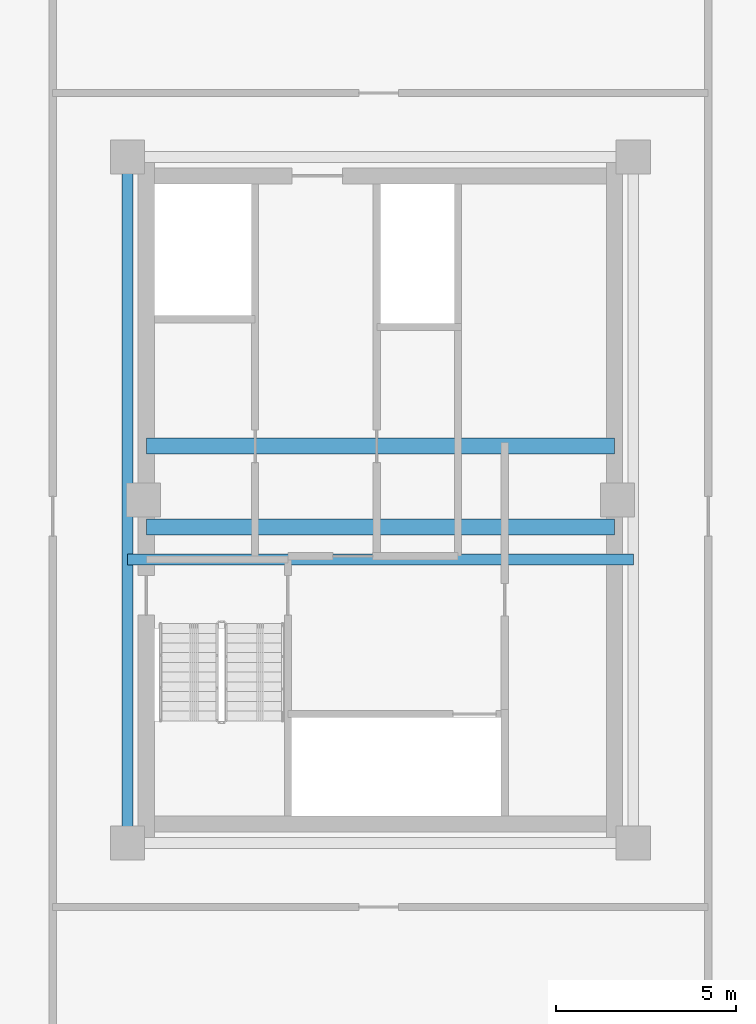
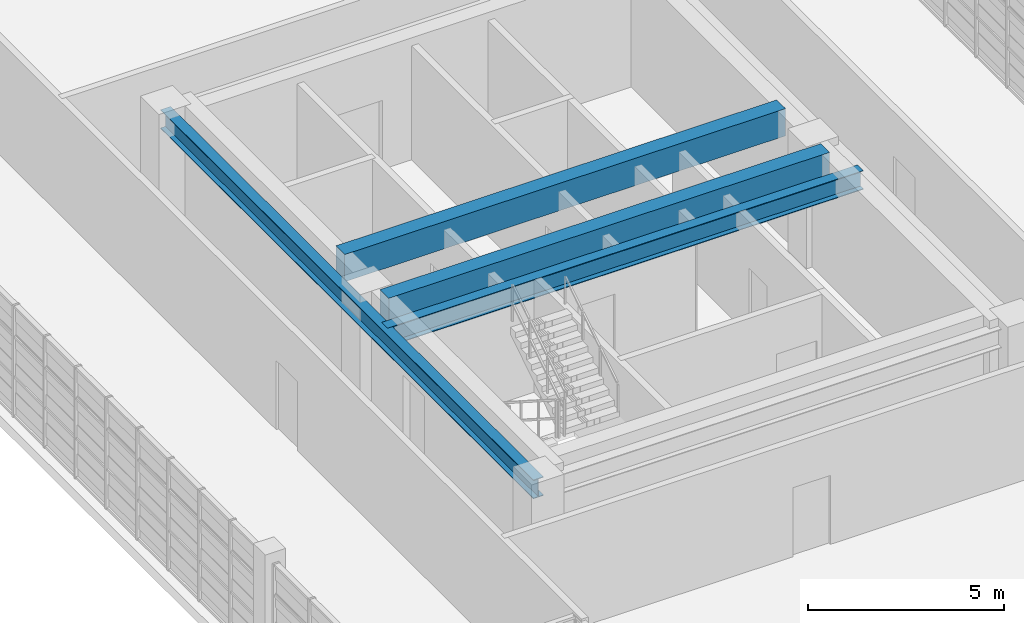
# One storey, part 9 of 24: 4 beams.
"""IFC4 building model written with IfcOpenShell, lengths in metres."""

from ifc_helpers import new_model, si_unit, direction, frame, origin, origin_2d, place, context, subcontext, project, spatial, rectangle, i_section, extrude, source, transform, mapped, material, material_profile, profile_set, type_object, element, save


model = new_model("IFC4")

# Units and contexts
model_context = context("Model", 3, precision=1e-05, world=origin(), true_north=direction((0.0, 1.0)))
body_context = subcontext(model_context, "Body", "Model", "MODEL_VIEW")
ifc_project = project(units=[si_unit("LENGTHUNIT", "METRE"), si_unit("AREAUNIT", "SQUARE_METRE"), si_unit("VOLUMEUNIT", "CUBIC_METRE"), si_unit("PLANEANGLEUNIT", "RADIAN"), si_unit("MASSUNIT", "GRAM", prefix="KILO")], contexts=[model_context])

# Site, building, storey
site_placement = place(None, origin())
site = spatial("IfcSite", under=ifc_project, at=site_placement, CompositionType="ELEMENT")
building_placement = place(site_placement, origin())
building = spatial("IfcBuilding", under=site, at=building_placement, Name="Saelheon Loggia Tower", CompositionType="ELEMENT")
storey_placement = place(building_placement, frame((0.0, 0.0, 252.199951171875)))
storey = spatial("IfcBuildingStorey", under=building, at=storey_placement, Name="CR1", CompositionType="ELEMENT", Elevation=252.199951171875)

# Beams
ifc_material_1 = material(Name="Concrete C50/60", Category="concrete")
ifc_material_profile_1 = material_profile(ifc_material_1, rectangle(XDim=0.449951171875, YDim=0.85009765625, at=origin_2d()), Name="RC-450x850")
ifc_profile_set_1 = profile_set([ifc_material_profile_1], Name="Concrete C50/60")
beam_type_1 = type_object("IfcBeamType", Name="Beam_CoreLintel_RC450x850", PredefinedType="LINTEL", material=ifc_profile_set_1)
shared_shape_1 = source(origin(), body_context, "Body", "SweptSolid", [
    extrude(rectangle(XDim=0.449951171875, YDim=0.85009765625, at=origin_2d()), origin(), (0.0, 0.0, 1.0), 13.0),
])
for number, where, z_axis, x_axis, name in (
    (1, (31.5, 26.25, 3.375), (1.0, 0.0, 0.0), (0.0, 1.0, 0.0), "CR1 Core Coupling Lintel 1"),
    (2, (31.5, 28.5, 3.375), (1.0, 0.0, 0.0), (0.0, 1.0, 0.0), "CR1 Core Coupling Lintel 2"),
):
    element("IfcBeam", number, at=place(storey_placement, frame(where, z_axis=z_axis, x_axis=x_axis)), inside=storey, type_object=beam_type_1, Name=name, PredefinedType="LINTEL", context=body_context, shape_type="MappedRepresentation", body=[
        mapped(shared_shape_1, transform((0.0, 0.0, 0.0), scale=1.0)),
    ])
ifc_material_2 = material(Name="Steel SM355", Category="steel")
ifc_material_profile_2 = material_profile(ifc_material_2, i_section(OverallWidth=0.300048828125, OverallDepth=0.587890625, WebThickness=0.011962890625, FlangeThickness=0.02001953125, at=origin_2d()), Name="H-588x300x12x20")
ifc_profile_set_2 = profile_set([ifc_material_profile_2], Name="Steel SM355")
beam_type_2 = type_object("IfcBeamType", Name="Beam_Girder_Steel_H588", PredefinedType="BEAM", material=ifc_profile_set_2)
shared_shape_2 = source(origin(), body_context, "Body", "SweptSolid", [
    extrude(i_section(OverallWidth=0.300048828125, OverallDepth=0.587890625, WebThickness=0.011962890625, FlangeThickness=0.02001953125, at=origin_2d()), origin(), (0.0, 0.0, 1.0), 14.0400390625),
])
beam_1_placement = place(storey_placement, frame((30.97998046875, 25.35009765625, 3.256103515625), z_axis=(1.0, 0.0, 0.0), x_axis=(0.0, 1.0, 0.0)))
element("IfcBeam", 3, at=beam_1_placement, inside=storey, type_object=beam_type_2, Name="BM-CR1-PL-ST5", PredefinedType="BEAM", context=body_context, shape_type="MappedRepresentation", body=[
    mapped(shared_shape_2, transform((0.0, 0.0, 0.0), scale=1.0)),
])
shared_shape_3 = source(origin(), body_context, "Body", "SweptSolid", [
    extrude(i_section(OverallWidth=0.300048828125, OverallDepth=0.587890625, WebThickness=0.011962890625, FlangeThickness=0.02001953125, at=origin_2d()), origin(), (0.0, 0.0, 1.0), 19.0400390625),
])
beam_2_placement = place(storey_placement, frame((30.97998046875, 17.47998046875, 3.256103515625), z_axis=(0.0, 1.0, 0.0), x_axis=(-1.0, 0.0, 0.0)))
element("IfcBeam", 4, at=beam_2_placement, inside=storey, type_object=beam_type_2, Name="BM-CR1-PL-W", PredefinedType="BEAM", context=body_context, shape_type="MappedRepresentation", body=[
    mapped(shared_shape_3, transform((0.0, 0.0, 0.0), scale=1.0)),
])

save(model, "model.ifc")
